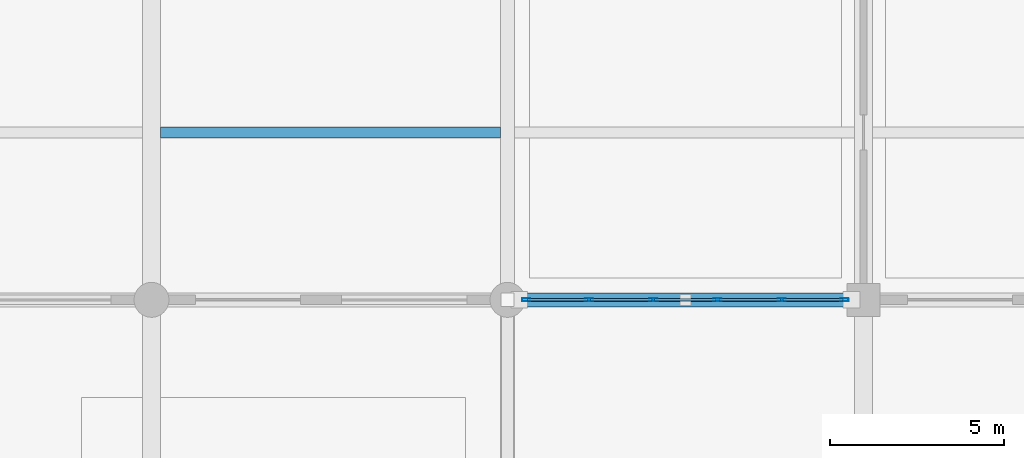
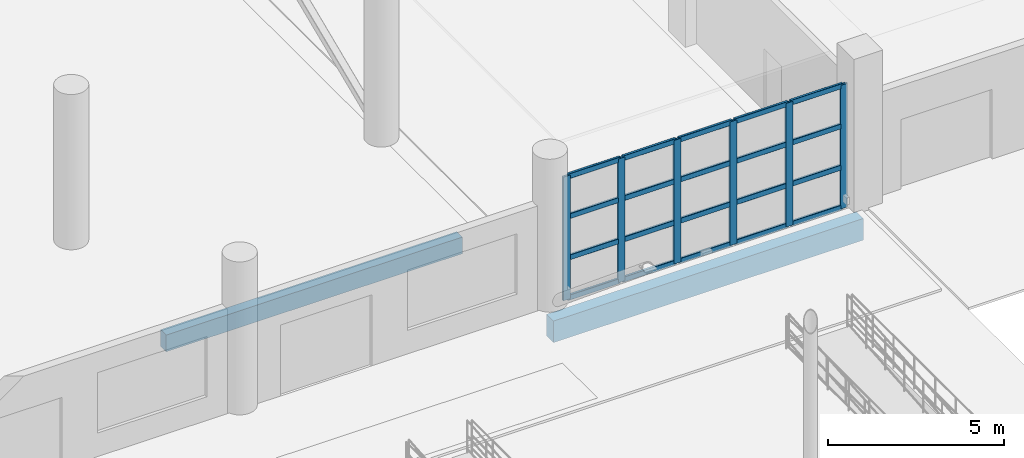
# One storey, part 54 of 124: 26 members, 2 beams, 1 element without a shape of its own.
"""IFC4 building model written with IfcOpenShell, lengths in metres."""

import ifcopenshell
import ifcopenshell.guid

model = None  # the IFC model being written
_history = None  # IfcOwnerHistory: only IFC2X3 demands one
_inside = {}  # id of a spatial element -> (the spatial element, [elements in it])
_under = {}  # id of a project, library or spatial element -> (it, [spatial elements below it])
_declared = {}  # id of a project -> (the project, [libraries it declares])
_typed = {}  # id of a type object -> (the type object, [elements of that type])
_made_of = {}  # id of a material, layer set ... -> (it, [elements and type objects made of it])


def new_model(schema):
    """Start an empty IFC model of exactly this schema.

    Asked for "IFC4X3", IfcOpenShell would pick the latest addendum, in which some entities
    have other attributes; the version numbers below select the first issue.
    IFC2X3 requires an IfcOwnerHistory on every rooted entity: one is made here for all.
    """
    global model, _history
    if schema == "IFC4X3":
        model = ifcopenshell.file(schema_version=(4, 3, 0, 0))
    else:
        model = ifcopenshell.file(schema=schema)
    _inside.clear()
    _under.clear()
    _declared.clear()
    _typed.clear()
    _made_of.clear()
    _history = None
    if model.schema == "IFC2X3":
        org = make("IfcOrganization", Name="unknown")
        user = make(
            "IfcPersonAndOrganization",
            ThePerson=make("IfcPerson", FamilyName="unknown"),
            TheOrganization=org,
        )
        app = make(
            "IfcApplication",
            ApplicationDeveloper=org,
            Version="unknown",
            ApplicationFullName="unknown",
            ApplicationIdentifier="unknown",
        )
        _history = make(
            "IfcOwnerHistory",
            OwningUser=user,
            OwningApplication=app,
            ChangeAction="ADDED",
            CreationDate=0,
        )
    return model


def make(cls, **values):
    """One entity of the class cls with the attributes given. An attribute that is None is left unset."""
    return model.create_entity(
        cls, **{name: value for name, value in values.items() if value is not None}
    )


def rooted(cls, **values):
    """An entity with a GlobalId (a new one), such as an element, a storey or a relation."""
    return make(cls, GlobalId=ifcopenshell.guid.new(), OwnerHistory=_history, **values)


def si_unit(unit_type, name, prefix=None):
    """IfcSIUnit, for example si_unit("LENGTHUNIT", "METRE", prefix="MILLI")."""
    return make("IfcSIUnit", UnitType=unit_type, Prefix=prefix, Name=name)


def assignment(units):
    """IfcUnitAssignment: the units of a project."""
    return None if units is None else make("IfcUnitAssignment", Units=units)


def point(xyz):
    """IfcCartesianPoint."""
    return None if xyz is None else make("IfcCartesianPoint", Coordinates=xyz)


def direction(xyz):
    """IfcDirection."""
    return None if xyz is None else make("IfcDirection", DirectionRatios=xyz)


def frame(location, z_axis=None, x_axis=None):
    """IfcAxis2Placement3D, a coordinate frame: its origin and axes. An axis left out is left unset."""
    return make(
        "IfcAxis2Placement3D",
        Location=point(location),
        Axis=direction(z_axis),
        RefDirection=direction(x_axis),
    )


def frame_2d(location, x_axis=None):
    """IfcAxis2Placement2D, a coordinate frame in the plane: its origin and x axis."""
    return make(
        "IfcAxis2Placement2D", Location=point(location), RefDirection=direction(x_axis)
    )


def origin():
    """The frame at (0, 0, 0) with its axes left unset."""
    return frame((0.0, 0.0, 0.0))


def origin_2d():
    """The frame at (0, 0) in the plane with its x axis left unset."""
    return frame_2d((0.0, 0.0))


def place(relative_to, where):
    """IfcLocalPlacement: puts the frame where relative to a parent placement (None: the world)."""
    return make(
        "IfcLocalPlacement", PlacementRelTo=relative_to, RelativePlacement=where
    )


def context(
    kind, dimensions, precision=None, world=None, true_north=None, identifier=None
):
    """IfcGeometricRepresentationContext, for example the 3D "Model" context."""
    return make(
        "IfcGeometricRepresentationContext",
        ContextIdentifier=identifier,
        ContextType=kind,
        CoordinateSpaceDimension=dimensions,
        Precision=precision,
        WorldCoordinateSystem=world,
        TrueNorth=true_north,
    )


def subcontext(parent, identifier, kind, view, scale=None):
    """IfcGeometricRepresentationSubContext, for example "Body" below "Model"."""
    return make(
        "IfcGeometricRepresentationSubContext",
        ContextIdentifier=identifier,
        ContextType=kind,
        ParentContext=parent,
        TargetScale=scale,
        TargetView=view,
    )


def project(units=None, contexts=None):
    """IfcProject with its units and contexts."""
    return rooted(
        "IfcProject",
        Name="project",
        RepresentationContexts=contexts,
        UnitsInContext=assignment(units),
    )


def spatial(cls, under=None, at=None, **own):
    """A site, building, storey or space (cls), placed at a placement, below another one or the project."""
    s = rooted(cls, ObjectPlacement=at, **own)
    if under is not None:
        _under.setdefault(under.id(), (under, []))[1].append(s)
    return s


def profile(cls, at=None, kind="AREA", **sizes):
    """A parametric profile (cls). Its sizes go by their IFC names, for example OverallWidth=200.0."""
    return make(cls, ProfileType=kind, Position=at, **sizes)


def rectangle(**sizes):
    """IfcRectangleProfileDef."""
    return profile("IfcRectangleProfileDef", **sizes)


def hollow_rectangle(**sizes):
    """IfcRectangleHollowProfileDef."""
    return profile("IfcRectangleHollowProfileDef", **sizes)


def extrude(swept, where, along, depth):
    """IfcExtrudedAreaSolid: the profile swept, set in the frame where, extruded along a direction by depth."""
    return make(
        "IfcExtrudedAreaSolid",
        SweptArea=swept,
        Position=where,
        ExtrudedDirection=direction(along),
        Depth=depth,
    )


def shape(context_of_items, identifier, shape_type, items):
    """IfcShapeRepresentation: the items that make up one representation, for example the "Body"."""
    return make(
        "IfcShapeRepresentation",
        ContextOfItems=context_of_items,
        RepresentationIdentifier=identifier,
        RepresentationType=shape_type,
        Items=items,
    )


def material(Name=None, Category=None):
    """IfcMaterial."""
    return make("IfcMaterial", Name=Name, Category=Category)


def material_profile(
    of_material, cross_section, Name=None, Category=None, Priority=None
):
    """IfcMaterialProfile: a cross section and its material."""
    return make(
        "IfcMaterialProfile",
        Name=Name,
        Material=of_material,
        Profile=cross_section,
        Priority=Priority,
        Category=Category,
    )


def profile_set(profiles, Name=None, composite=None):
    """IfcMaterialProfileSet."""
    return make(
        "IfcMaterialProfileSet",
        Name=Name,
        MaterialProfiles=profiles,
        CompositeProfile=composite,
    )


def made_of(thing, what):
    """Note that an element or type object is made of a material, layer set ...; save() writes the relation."""
    if what is not None:
        _made_of.setdefault(what.id(), (what, []))[1].append(thing)
    return thing


def type_object(cls, material=None, **own):
    """A type object (cls), such as IfcWallType, which elements share."""
    return made_of(rooted(cls, **own), material)


def element(
    cls,
    number,
    at=None,
    inside=None,
    cuts=None,
    type_object=None,
    material=None,
    context=None,
    identifier="Body",
    shape_type=None,
    held_by="IfcProductDefinitionShape",
    body=None,
    shapes=None,
    **own,
):
    """One element of the class cls, such as IfcWall. Its Tag is "e" and its number.

    at: its placement. inside: the storey or other place that contains it. cuts: it is an
    opening in that element (IfcRelVoidsElement). A single representation is given by context,
    identifier, shape_type and body (its items); several are given by shapes. held_by: the class
    of the entity that holds the representations. save() writes the other relations.
    """
    e = rooted(cls, Tag="e%d" % number, ObjectPlacement=at, **own)
    if body is not None:
        shapes = [shape(context, identifier, shape_type, body)]
    if shapes is not None:
        e.Representation = make(held_by, Representations=shapes)
    if inside is not None:
        _inside.setdefault(inside.id(), (inside, []))[1].append(e)
    if cuts is not None:
        rooted(
            "IfcRelVoidsElement", RelatingBuildingElement=cuts, RelatedOpeningElement=e
        )
    if type_object is not None:
        _typed.setdefault(type_object.id(), (type_object, []))[1].append(e)
    return made_of(e, material)


def aggregate(whole, parts):
    """IfcRelAggregates: a whole, such as a stair, and the parts it consists of."""
    return rooted("IfcRelAggregates", RelatingObject=whole, RelatedObjects=parts)


def save(model, path):
    """Write the relations noted so far, then the file.

    IfcRelAggregates (storeys below a building ...), IfcRelContainedInSpatialStructure (elements
    in a storey), IfcRelDefinesByType, IfcRelAssociatesMaterial and IfcRelDeclares: one each for
    every whole, place, type object, material and project.
    """
    for whole, parts in _under.values():
        aggregate(whole, parts)
    for where, things in _inside.values():
        rooted(
            "IfcRelContainedInSpatialStructure",
            RelatedElements=things,
            RelatingStructure=where,
        )
    for kind, things in _typed.values():
        rooted("IfcRelDefinesByType", RelatedObjects=things, RelatingType=kind)
    for what, things in _made_of.values():
        rooted("IfcRelAssociatesMaterial", RelatedObjects=things, RelatingMaterial=what)
    for by, libraries in _declared.values():
        rooted("IfcRelDeclares", RelatingContext=by, RelatedDefinitions=libraries)
    model.write(path)


model = new_model("IFC4")

# Units and contexts
model_context = context("Model", 3, precision=1e-05, world=origin(), true_north=direction((0.0, 1.0)))
body_context = subcontext(model_context, "Body", "Model", "MODEL_VIEW")
ifc_project = project(units=[si_unit("LENGTHUNIT", "METRE"), si_unit("AREAUNIT", "SQUARE_METRE"), si_unit("VOLUMEUNIT", "CUBIC_METRE"), si_unit("PLANEANGLEUNIT", "RADIAN"), si_unit("MASSUNIT", "GRAM", prefix="KILO")], contexts=[model_context])

# Site, building, storey
site_placement = place(None, origin())
site = spatial("IfcSite", under=ifc_project, at=site_placement, CompositionType="ELEMENT")
building_placement = place(site_placement, origin())
building = spatial("IfcBuilding", under=site, at=building_placement, Name="Brelvane Convention Centre", CompositionType="ELEMENT")
storey_placement = place(building_placement, origin())
storey = spatial("IfcBuildingStorey", under=building, at=storey_placement, Name="L00", CompositionType="ELEMENT", Elevation=0.0)

# Curtain wall, members
ifc_material_1 = material(Name="Anodised Aluminium Alloy 6063-T6", Category="aluminium")
curtain_wall_type = type_object("IfcCurtainWallType", Name="Curtain Wall CW-CONC", PredefinedType="USERDEFINED", material=ifc_material_1)
curtain_wall_placement = place(storey_placement, origin())
curtain_wall = element("IfcCurtainWall", 1, at=curtain_wall_placement, inside=storey, type_object=curtain_wall_type, Name="Curtain Wall CW-CONC L00-V1S-17", ObjectType="UNITISED", PredefinedType="USERDEFINED")
ifc_material_2 = material(Name="Anodised Aluminium Alloy 6063-T6", Category="aluminium")
ifc_material_profile_1 = material_profile(ifc_material_2, hollow_rectangle(XDim=0.080078125, YDim=0.239990234375, WallThickness=0.006103515625, InnerFilletRadius=0.006103515625, OuterFilletRadius=0.011962890625, at=origin_2d()), Name="ALU-M 240x80x6.0")
ifc_profile_set_1 = profile_set([ifc_material_profile_1], Name="Anodised Aluminium Alloy 6063-T6")
member_type_1 = type_object("IfcMemberType", Name="Curtain Mullion CW-M1", PredefinedType="MULLION", material=ifc_profile_set_1)
member_1_placement = place(storey_placement, frame((163.739990234375, 19.199951171875, 0.0), z_axis=(0.0, 0.0, 1.0), x_axis=(0.0, 1.0, 0.0)))
member_1 = element("IfcMember", 2, at=member_1_placement, type_object=member_type_1, Name="CW-CONC mullion 1", PredefinedType="MULLION", context=body_context, shape_type="SweptSolid", body=[
    extrude(hollow_rectangle(XDim=0.080078125, YDim=0.239990234375, WallThickness=0.006103515625, InnerFilletRadius=0.006103515625, OuterFilletRadius=0.011962890625, at=origin_2d()), origin(), (0.0, 0.0, 1.0), 4.300048828125),
])
member_2_placement = place(storey_placement, frame((165.5400390625, 19.199951171875, 0.0), z_axis=(0.0, 0.0, 1.0), x_axis=(0.0, 1.0, 0.0)))
member_2 = element("IfcMember", 3, at=member_2_placement, type_object=member_type_1, Name="CW-CONC mullion 2", PredefinedType="MULLION", context=body_context, shape_type="SweptSolid", body=[
    extrude(hollow_rectangle(XDim=0.080078125, YDim=0.239990234375, WallThickness=0.006103515625, InnerFilletRadius=0.006103515625, OuterFilletRadius=0.011962890625, at=origin_2d()), origin(), (0.0, 0.0, 1.0), 4.300048828125),
])
member_3_placement = place(storey_placement, frame((167.3798828125, 19.199951171875, 0.0), z_axis=(0.0, 0.0, 1.0), x_axis=(0.0, 1.0, 0.0)))
member_3 = element("IfcMember", 4, at=member_3_placement, type_object=member_type_1, Name="CW-CONC mullion 3", PredefinedType="MULLION", context=body_context, shape_type="SweptSolid", body=[
    extrude(hollow_rectangle(XDim=0.080078125, YDim=0.239990234375, WallThickness=0.006103515625, InnerFilletRadius=0.006103515625, OuterFilletRadius=0.011962890625, at=origin_2d()), origin(), (0.0, 0.0, 1.0), 4.300048828125),
])
member_4_placement = place(storey_placement, frame((169.219970703125, 19.199951171875, 0.0), z_axis=(0.0, 0.0, 1.0), x_axis=(0.0, 1.0, 0.0)))
member_4 = element("IfcMember", 5, at=member_4_placement, type_object=member_type_1, Name="CW-CONC mullion 4", PredefinedType="MULLION", context=body_context, shape_type="SweptSolid", body=[
    extrude(hollow_rectangle(XDim=0.080078125, YDim=0.239990234375, WallThickness=0.006103515625, InnerFilletRadius=0.006103515625, OuterFilletRadius=0.011962890625, at=origin_2d()), origin(), (0.0, 0.0, 1.0), 4.300048828125),
])
member_5_placement = place(storey_placement, frame((171.06005859375, 19.199951171875, 0.0), z_axis=(0.0, 0.0, 1.0), x_axis=(0.0, 1.0, 0.0)))
member_5 = element("IfcMember", 6, at=member_5_placement, type_object=member_type_1, Name="CW-CONC mullion 5", PredefinedType="MULLION", context=body_context, shape_type="SweptSolid", body=[
    extrude(hollow_rectangle(XDim=0.080078125, YDim=0.239990234375, WallThickness=0.006103515625, InnerFilletRadius=0.006103515625, OuterFilletRadius=0.011962890625, at=origin_2d()), origin(), (0.0, 0.0, 1.0), 4.300048828125),
])
member_6_placement = place(storey_placement, frame((172.860107421875, 19.199951171875, 0.0), z_axis=(0.0, 0.0, 1.0), x_axis=(0.0, 1.0, 0.0)))
member_6 = element("IfcMember", 7, at=member_6_placement, type_object=member_type_1, Name="CW-CONC mullion 6", PredefinedType="MULLION", context=body_context, shape_type="SweptSolid", body=[
    extrude(hollow_rectangle(XDim=0.080078125, YDim=0.239990234375, WallThickness=0.006103515625, InnerFilletRadius=0.006103515625, OuterFilletRadius=0.011962890625, at=origin_2d()), origin(), (0.0, 0.0, 1.0), 4.300048828125),
])
ifc_material_3 = material(Name="Anodised Aluminium Alloy 6063-T6", Category="aluminium")
ifc_material_profile_2 = material_profile(ifc_material_3, hollow_rectangle(XDim=0.080078125, YDim=0.179931640625, WallThickness=0.0048828125, InnerFilletRadius=0.0048828125, OuterFilletRadius=0.010009765625, at=origin_2d()), Name="ALU-T 180x80x5.0")
ifc_profile_set_2 = profile_set([ifc_material_profile_2], Name="Anodised Aluminium Alloy 6063-T6")
member_type_2 = type_object("IfcMemberType", Name="Curtain Transom CW-T1", PredefinedType="USERDEFINED", material=ifc_profile_set_2)
member_7_placement = place(storey_placement, frame((163.780029296875, 19.199951171875, 0.0400390625), z_axis=(1.0, 0.0, 0.0), x_axis=(0.0, 1.0, 0.0)))
member_7 = element("IfcMember", 8, at=member_7_placement, type_object=member_type_2, Name="CW-CONC transom 1.1", ObjectType="TRANSOM", PredefinedType="USERDEFINED", context=body_context, shape_type="SweptSolid", body=[
    extrude(hollow_rectangle(XDim=0.080078125, YDim=0.179931640625, WallThickness=0.0048828125, InnerFilletRadius=0.0048828125, OuterFilletRadius=0.010009765625, at=origin_2d()), origin(), (0.0, 0.0, 1.0), 1.719970703125),
])
member_8_placement = place(storey_placement, frame((163.780029296875, 19.199951171875, 1.433349609375), z_axis=(1.0, 0.0, 0.0), x_axis=(0.0, 1.0, 0.0)))
member_8 = element("IfcMember", 9, at=member_8_placement, type_object=member_type_2, Name="CW-CONC transom 1.2", ObjectType="TRANSOM", PredefinedType="USERDEFINED", context=body_context, shape_type="SweptSolid", body=[
    extrude(hollow_rectangle(XDim=0.080078125, YDim=0.179931640625, WallThickness=0.0048828125, InnerFilletRadius=0.0048828125, OuterFilletRadius=0.010009765625, at=origin_2d()), origin(), (0.0, 0.0, 1.0), 1.719970703125),
])
member_9_placement = place(storey_placement, frame((163.780029296875, 19.199951171875, 2.86669921875), z_axis=(1.0, 0.0, 0.0), x_axis=(0.0, 1.0, 0.0)))
member_9 = element("IfcMember", 10, at=member_9_placement, type_object=member_type_2, Name="CW-CONC transom 1.3", ObjectType="TRANSOM", PredefinedType="USERDEFINED", context=body_context, shape_type="SweptSolid", body=[
    extrude(hollow_rectangle(XDim=0.080078125, YDim=0.179931640625, WallThickness=0.0048828125, InnerFilletRadius=0.0048828125, OuterFilletRadius=0.010009765625, at=origin_2d()), origin(), (0.0, 0.0, 1.0), 1.719970703125),
])
member_10_placement = place(storey_placement, frame((163.780029296875, 19.199951171875, 4.260009765625), z_axis=(1.0, 0.0, 0.0), x_axis=(0.0, 1.0, 0.0)))
member_10 = element("IfcMember", 11, at=member_10_placement, type_object=member_type_2, Name="CW-CONC transom 1.4", ObjectType="TRANSOM", PredefinedType="USERDEFINED", context=body_context, shape_type="SweptSolid", body=[
    extrude(hollow_rectangle(XDim=0.080078125, YDim=0.179931640625, WallThickness=0.0048828125, InnerFilletRadius=0.0048828125, OuterFilletRadius=0.010009765625, at=origin_2d()), origin(), (0.0, 0.0, 1.0), 1.719970703125),
])
member_11_placement = place(storey_placement, frame((165.580078125, 19.199951171875, 0.0400390625), z_axis=(1.0, 0.0, 0.0), x_axis=(0.0, 1.0, 0.0)))
member_11 = element("IfcMember", 12, at=member_11_placement, type_object=member_type_2, Name="CW-CONC transom 2.1", ObjectType="TRANSOM", PredefinedType="USERDEFINED", context=body_context, shape_type="SweptSolid", body=[
    extrude(hollow_rectangle(XDim=0.080078125, YDim=0.179931640625, WallThickness=0.0048828125, InnerFilletRadius=0.0048828125, OuterFilletRadius=0.010009765625, at=origin_2d()), origin(), (0.0, 0.0, 1.0), 1.760009765625),
])
member_12_placement = place(storey_placement, frame((165.580078125, 19.199951171875, 1.433349609375), z_axis=(1.0, 0.0, 0.0), x_axis=(0.0, 1.0, 0.0)))
member_12 = element("IfcMember", 13, at=member_12_placement, type_object=member_type_2, Name="CW-CONC transom 2.2", ObjectType="TRANSOM", PredefinedType="USERDEFINED", context=body_context, shape_type="SweptSolid", body=[
    extrude(hollow_rectangle(XDim=0.080078125, YDim=0.179931640625, WallThickness=0.0048828125, InnerFilletRadius=0.0048828125, OuterFilletRadius=0.010009765625, at=origin_2d()), origin(), (0.0, 0.0, 1.0), 1.760009765625),
])
member_13_placement = place(storey_placement, frame((165.580078125, 19.199951171875, 2.86669921875), z_axis=(1.0, 0.0, 0.0), x_axis=(0.0, 1.0, 0.0)))
member_13 = element("IfcMember", 14, at=member_13_placement, type_object=member_type_2, Name="CW-CONC transom 2.3", ObjectType="TRANSOM", PredefinedType="USERDEFINED", context=body_context, shape_type="SweptSolid", body=[
    extrude(hollow_rectangle(XDim=0.080078125, YDim=0.179931640625, WallThickness=0.0048828125, InnerFilletRadius=0.0048828125, OuterFilletRadius=0.010009765625, at=origin_2d()), origin(), (0.0, 0.0, 1.0), 1.760009765625),
])
member_14_placement = place(storey_placement, frame((165.580078125, 19.199951171875, 4.260009765625), z_axis=(1.0, 0.0, 0.0), x_axis=(0.0, 1.0, 0.0)))
member_14 = element("IfcMember", 15, at=member_14_placement, type_object=member_type_2, Name="CW-CONC transom 2.4", ObjectType="TRANSOM", PredefinedType="USERDEFINED", context=body_context, shape_type="SweptSolid", body=[
    extrude(hollow_rectangle(XDim=0.080078125, YDim=0.179931640625, WallThickness=0.0048828125, InnerFilletRadius=0.0048828125, OuterFilletRadius=0.010009765625, at=origin_2d()), origin(), (0.0, 0.0, 1.0), 1.760009765625),
])
member_15_placement = place(storey_placement, frame((167.419921875, 19.199951171875, 0.0400390625), z_axis=(1.0, 0.0, 0.0), x_axis=(0.0, 1.0, 0.0)))
member_15 = element("IfcMember", 16, at=member_15_placement, type_object=member_type_2, Name="CW-CONC transom 3.1", ObjectType="TRANSOM", PredefinedType="USERDEFINED", context=body_context, shape_type="SweptSolid", body=[
    extrude(hollow_rectangle(XDim=0.080078125, YDim=0.179931640625, WallThickness=0.0048828125, InnerFilletRadius=0.0048828125, OuterFilletRadius=0.010009765625, at=origin_2d()), origin(), (0.0, 0.0, 1.0), 1.760009765625),
])
member_16_placement = place(storey_placement, frame((167.419921875, 19.199951171875, 1.433349609375), z_axis=(1.0, 0.0, 0.0), x_axis=(0.0, 1.0, 0.0)))
member_16 = element("IfcMember", 17, at=member_16_placement, type_object=member_type_2, Name="CW-CONC transom 3.2", ObjectType="TRANSOM", PredefinedType="USERDEFINED", context=body_context, shape_type="SweptSolid", body=[
    extrude(hollow_rectangle(XDim=0.080078125, YDim=0.179931640625, WallThickness=0.0048828125, InnerFilletRadius=0.0048828125, OuterFilletRadius=0.010009765625, at=origin_2d()), origin(), (0.0, 0.0, 1.0), 1.760009765625),
])
member_17_placement = place(storey_placement, frame((167.419921875, 19.199951171875, 2.86669921875), z_axis=(1.0, 0.0, 0.0), x_axis=(0.0, 1.0, 0.0)))
member_17 = element("IfcMember", 18, at=member_17_placement, type_object=member_type_2, Name="CW-CONC transom 3.3", ObjectType="TRANSOM", PredefinedType="USERDEFINED", context=body_context, shape_type="SweptSolid", body=[
    extrude(hollow_rectangle(XDim=0.080078125, YDim=0.179931640625, WallThickness=0.0048828125, InnerFilletRadius=0.0048828125, OuterFilletRadius=0.010009765625, at=origin_2d()), origin(), (0.0, 0.0, 1.0), 1.760009765625),
])
member_18_placement = place(storey_placement, frame((167.419921875, 19.199951171875, 4.260009765625), z_axis=(1.0, 0.0, 0.0), x_axis=(0.0, 1.0, 0.0)))
member_18 = element("IfcMember", 19, at=member_18_placement, type_object=member_type_2, Name="CW-CONC transom 3.4", ObjectType="TRANSOM", PredefinedType="USERDEFINED", context=body_context, shape_type="SweptSolid", body=[
    extrude(hollow_rectangle(XDim=0.080078125, YDim=0.179931640625, WallThickness=0.0048828125, InnerFilletRadius=0.0048828125, OuterFilletRadius=0.010009765625, at=origin_2d()), origin(), (0.0, 0.0, 1.0), 1.760009765625),
])
member_19_placement = place(storey_placement, frame((169.260009765625, 19.199951171875, 0.0400390625), z_axis=(1.0, 0.0, 0.0), x_axis=(0.0, 1.0, 0.0)))
member_19 = element("IfcMember", 20, at=member_19_placement, type_object=member_type_2, Name="CW-CONC transom 4.1", ObjectType="TRANSOM", PredefinedType="USERDEFINED", context=body_context, shape_type="SweptSolid", body=[
    extrude(hollow_rectangle(XDim=0.080078125, YDim=0.179931640625, WallThickness=0.0048828125, InnerFilletRadius=0.0048828125, OuterFilletRadius=0.010009765625, at=origin_2d()), origin(), (0.0, 0.0, 1.0), 1.760009765625),
])
member_20_placement = place(storey_placement, frame((169.260009765625, 19.199951171875, 1.433349609375), z_axis=(1.0, 0.0, 0.0), x_axis=(0.0, 1.0, 0.0)))
member_20 = element("IfcMember", 21, at=member_20_placement, type_object=member_type_2, Name="CW-CONC transom 4.2", ObjectType="TRANSOM", PredefinedType="USERDEFINED", context=body_context, shape_type="SweptSolid", body=[
    extrude(hollow_rectangle(XDim=0.080078125, YDim=0.179931640625, WallThickness=0.0048828125, InnerFilletRadius=0.0048828125, OuterFilletRadius=0.010009765625, at=origin_2d()), origin(), (0.0, 0.0, 1.0), 1.760009765625),
])
member_21_placement = place(storey_placement, frame((169.260009765625, 19.199951171875, 2.86669921875), z_axis=(1.0, 0.0, 0.0), x_axis=(0.0, 1.0, 0.0)))
member_21 = element("IfcMember", 22, at=member_21_placement, type_object=member_type_2, Name="CW-CONC transom 4.3", ObjectType="TRANSOM", PredefinedType="USERDEFINED", context=body_context, shape_type="SweptSolid", body=[
    extrude(hollow_rectangle(XDim=0.080078125, YDim=0.179931640625, WallThickness=0.0048828125, InnerFilletRadius=0.0048828125, OuterFilletRadius=0.010009765625, at=origin_2d()), origin(), (0.0, 0.0, 1.0), 1.760009765625),
])
member_22_placement = place(storey_placement, frame((169.260009765625, 19.199951171875, 4.260009765625), z_axis=(1.0, 0.0, 0.0), x_axis=(0.0, 1.0, 0.0)))
member_22 = element("IfcMember", 23, at=member_22_placement, type_object=member_type_2, Name="CW-CONC transom 4.4", ObjectType="TRANSOM", PredefinedType="USERDEFINED", context=body_context, shape_type="SweptSolid", body=[
    extrude(hollow_rectangle(XDim=0.080078125, YDim=0.179931640625, WallThickness=0.0048828125, InnerFilletRadius=0.0048828125, OuterFilletRadius=0.010009765625, at=origin_2d()), origin(), (0.0, 0.0, 1.0), 1.760009765625),
])
member_23_placement = place(storey_placement, frame((171.10009765625, 19.199951171875, 0.0400390625), z_axis=(1.0, 0.0, 0.0), x_axis=(0.0, 1.0, 0.0)))
member_23 = element("IfcMember", 24, at=member_23_placement, type_object=member_type_2, Name="CW-CONC transom 5.1", ObjectType="TRANSOM", PredefinedType="USERDEFINED", context=body_context, shape_type="SweptSolid", body=[
    extrude(hollow_rectangle(XDim=0.080078125, YDim=0.179931640625, WallThickness=0.0048828125, InnerFilletRadius=0.0048828125, OuterFilletRadius=0.010009765625, at=origin_2d()), origin(), (0.0, 0.0, 1.0), 1.719970703125),
])
member_24_placement = place(storey_placement, frame((171.10009765625, 19.199951171875, 1.433349609375), z_axis=(1.0, 0.0, 0.0), x_axis=(0.0, 1.0, 0.0)))
member_24 = element("IfcMember", 25, at=member_24_placement, type_object=member_type_2, Name="CW-CONC transom 5.2", ObjectType="TRANSOM", PredefinedType="USERDEFINED", context=body_context, shape_type="SweptSolid", body=[
    extrude(hollow_rectangle(XDim=0.080078125, YDim=0.179931640625, WallThickness=0.0048828125, InnerFilletRadius=0.0048828125, OuterFilletRadius=0.010009765625, at=origin_2d()), origin(), (0.0, 0.0, 1.0), 1.719970703125),
])
member_25_placement = place(storey_placement, frame((171.10009765625, 19.199951171875, 2.86669921875), z_axis=(1.0, 0.0, 0.0), x_axis=(0.0, 1.0, 0.0)))
member_25 = element("IfcMember", 26, at=member_25_placement, type_object=member_type_2, Name="CW-CONC transom 5.3", ObjectType="TRANSOM", PredefinedType="USERDEFINED", context=body_context, shape_type="SweptSolid", body=[
    extrude(hollow_rectangle(XDim=0.080078125, YDim=0.179931640625, WallThickness=0.0048828125, InnerFilletRadius=0.0048828125, OuterFilletRadius=0.010009765625, at=origin_2d()), origin(), (0.0, 0.0, 1.0), 1.719970703125),
])
member_26_placement = place(storey_placement, frame((171.10009765625, 19.199951171875, 4.260009765625), z_axis=(1.0, 0.0, 0.0), x_axis=(0.0, 1.0, 0.0)))
member_26 = element("IfcMember", 27, at=member_26_placement, type_object=member_type_2, Name="CW-CONC transom 5.4", ObjectType="TRANSOM", PredefinedType="USERDEFINED", context=body_context, shape_type="SweptSolid", body=[
    extrude(hollow_rectangle(XDim=0.080078125, YDim=0.179931640625, WallThickness=0.0048828125, InnerFilletRadius=0.0048828125, OuterFilletRadius=0.010009765625, at=origin_2d()), origin(), (0.0, 0.0, 1.0), 1.719970703125),
])
aggregate(curtain_wall, [member_1, member_2, member_3, member_4, member_5, member_6, member_7, member_8, member_9, member_10, member_11, member_12, member_13, member_14, member_15, member_16, member_17, member_18, member_19, member_20, member_21, member_22, member_23, member_24, member_25, member_26])

# Beams
ifc_material_4 = material(Name="Concrete M40", Category="concrete")
ifc_material_profile_3 = material_profile(ifc_material_4, rectangle(XDim=0.320068359375, YDim=0.580078125, at=origin_2d()), Name="RC 320x580")
ifc_profile_set_3 = profile_set([ifc_material_profile_3], Name="Concrete M40")
beam_type_1 = type_object("IfcBeamType", Name="RC Joist J-RC3 (RC 320x580)", PredefinedType="JOIST", material=ifc_profile_set_3)
beam_1_placement = place(storey_placement, frame((153.260009765625, 24.0, -0.68994140625), z_axis=(1.0, 0.0, 0.0), x_axis=(0.0, 1.0, 0.0)))
element("IfcBeam", 28, at=beam_1_placement, inside=storey, type_object=beam_type_1, Name="L00 Secondary Joist 16-17/CD", PredefinedType="JOIST", context=body_context, shape_type="SweptSolid", body=[
    extrude(rectangle(XDim=0.320068359375, YDim=0.580078125, at=origin_2d()), origin(), (0.0, 0.0, 1.0), 9.739990234375),
])
ifc_material_5 = material(Name="Concrete M40", Category="concrete")
ifc_material_profile_4 = material_profile(ifc_material_5, rectangle(XDim=0.39990234375, YDim=0.75, at=origin_2d()), Name="RC 400x750")
ifc_profile_set_4 = profile_set([ifc_material_profile_4], Name="Concrete M40")
beam_type_2 = type_object("IfcBeamType", Name="RC Spandrel SP-RC1 (RC 400x750)", PredefinedType="SPANDREL", material=ifc_profile_set_4)
beam_2_placement = place(storey_placement, frame((163.199951171875, 19.199951171875, -0.8349609375), z_axis=(1.0, 0.0, 0.0), x_axis=(0.0, 1.0, 0.0)))
element("IfcBeam", 29, at=beam_2_placement, inside=storey, type_object=beam_type_2, Name="L00 Beam 17-18/C", PredefinedType="SPANDREL", context=body_context, shape_type="SweptSolid", body=[
    extrude(rectangle(XDim=0.39990234375, YDim=0.75, at=origin_2d()), origin(), (0.0, 0.0, 1.0), 10.199951171875),
])

save(model, "model.ifc")
